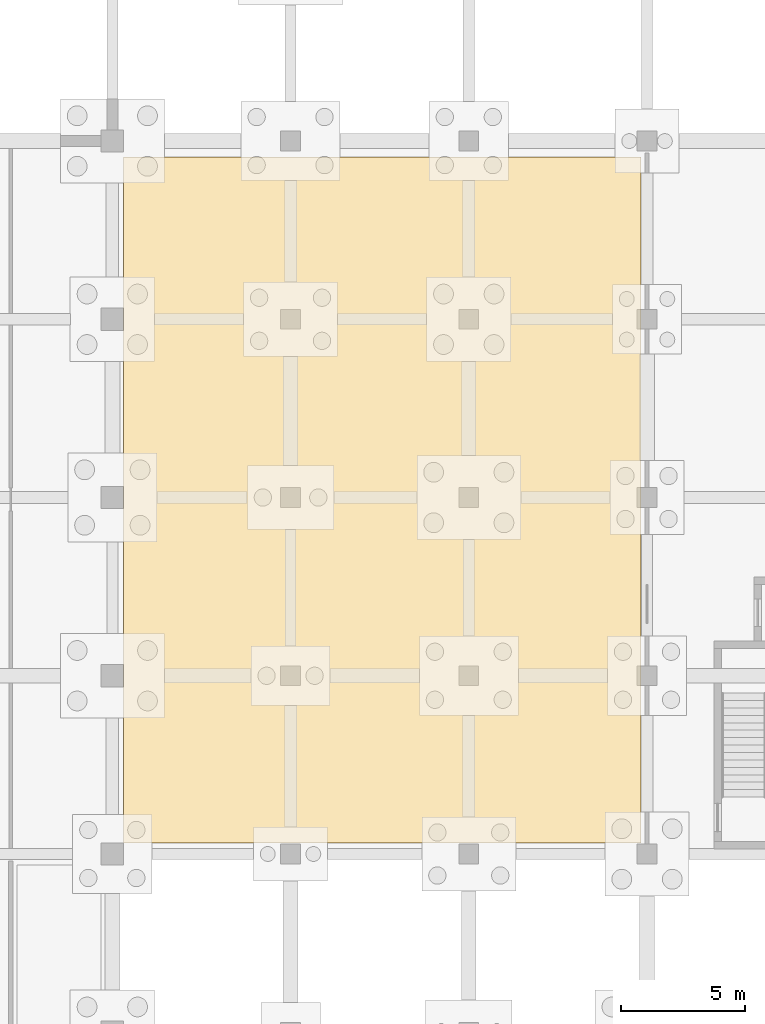
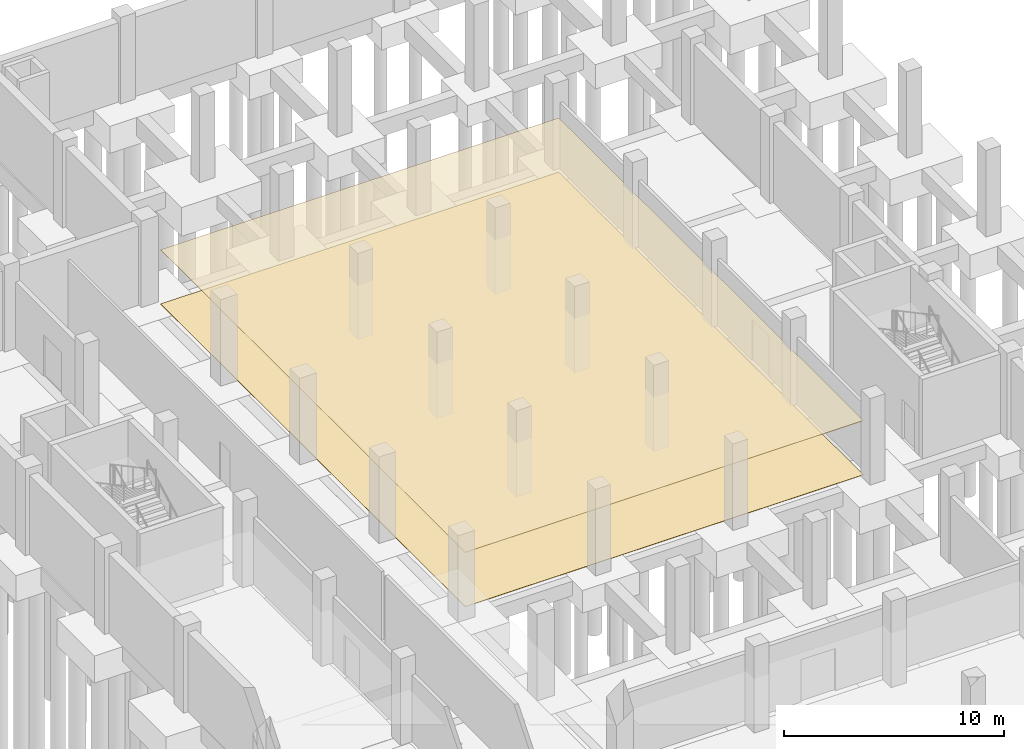
# One storey, part 36 of 38: 2 coverings.
"""IFC4 building model written with IfcOpenShell, lengths in metres."""

from ifc_helpers import new_model, si_unit, direction, frame, origin, place, context, subcontext, project, spatial, polyline, outline, extrude, material, layer, layer_set, type_object, element, save


model = new_model("IFC4")

# Units and contexts
model_context = context("Model", 3, precision=1e-05, world=origin(), true_north=direction((0.0, 1.0)))
body_context = subcontext(model_context, "Body", "Model", "MODEL_VIEW")
ifc_project = project(units=[si_unit("LENGTHUNIT", "METRE"), si_unit("AREAUNIT", "SQUARE_METRE"), si_unit("VOLUMEUNIT", "CUBIC_METRE"), si_unit("PLANEANGLEUNIT", "RADIAN"), si_unit("MASSUNIT", "GRAM", prefix="KILO")], contexts=[model_context])

# Site, building, storey
site_placement = place(None, origin())
site = spatial("IfcSite", under=ifc_project, at=site_placement, CompositionType="ELEMENT")
building_placement = place(site_placement, origin())
building = spatial("IfcBuilding", under=site, at=building_placement, Name="Valkovuoma Quantum and Materials Research Institute", CompositionType="ELEMENT")
storey_placement = place(building_placement, frame((0.0, 0.0, -4.800048828125)))
storey = spatial("IfcBuildingStorey", under=building, at=storey_placement, Name="B1", CompositionType="ELEMENT", Elevation=-4.800048828125)

# Coverings
ifc_material_1 = material(Name="Cleanable acoustic mineral-fibre suspended ceiling", Category="masonry")
ifc_layer_1 = layer(ifc_material_1, 0.02490234375)
ifc_layer_set_1 = layer_set([ifc_layer_1], Name="Cleanable acoustic mineral-fibre suspended ceiling")
covering_type_1 = type_object("IfcCoveringType", Name="Cov-CEIL-01", PredefinedType="CEILING", material=ifc_layer_set_1)
covering_1_placement = place(storey_placement, frame((0.0, 0.0, 3.0)))
element("IfcCovering", 1, at=covering_1_placement, inside=storey, type_object=covering_type_1, Name="B1 acoustic ceiling 0005", PredefinedType="CEILING", context=body_context, shape_type="SweptSolid", body=[
    extrude(outline(polyline([(14.85009765625, 65.25), (35.75, 65.25), (35.75, 92.949951171875), (14.85009765625, 92.949951171875), (14.85009765625, 65.25)])), origin(), (0.0, 0.0, 1.0), 0.025146484375),
])
ifc_material_2 = material(Name="Seamless dissipative laboratory resin flooring", Category="masonry")
ifc_layer_2 = layer(ifc_material_2, 0.014892578125)
ifc_layer_set_2 = layer_set([ifc_layer_2], Name="Seamless dissipative laboratory resin flooring")
covering_type_2 = type_object("IfcCoveringType", Name="Cov-FLOR-01", PredefinedType="FLOORING", material=ifc_layer_set_2)
covering_2_placement = place(storey_placement, origin())
element("IfcCovering", 2, at=covering_2_placement, inside=storey, type_object=covering_type_2, Name="B1 resin flooring 0005", PredefinedType="FLOORING", context=body_context, shape_type="SweptSolid", body=[
    extrude(outline(polyline([(14.85009765625, 65.25), (35.75, 65.25), (35.75, 92.949951171875), (14.85009765625, 92.949951171875), (14.85009765625, 65.25)])), origin(), (0.0, 0.0, 1.0), 0.01513671875),
])

save(model, "model.ifc")
